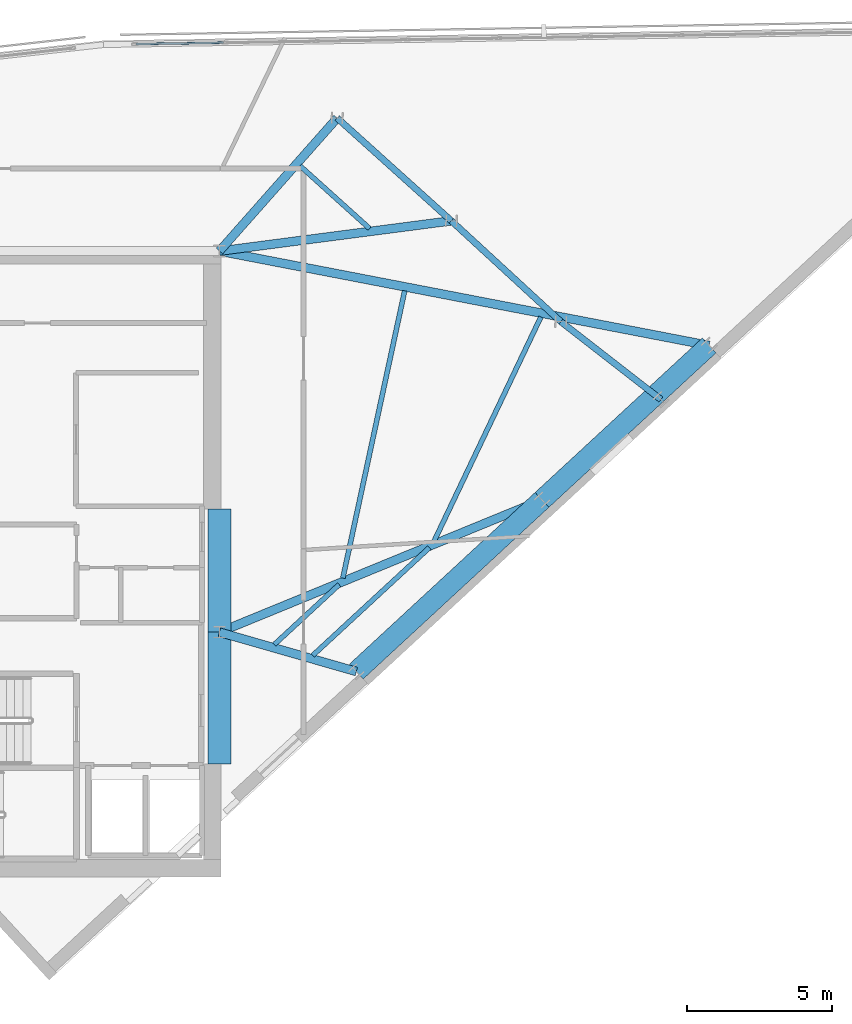
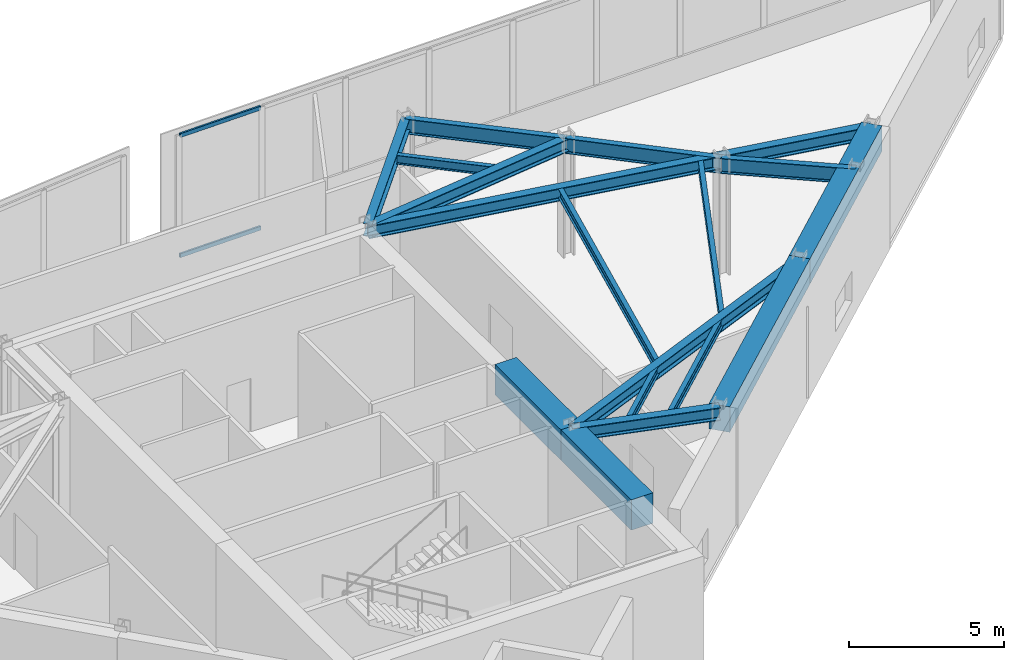
# One storey, part 5 of 12: 17 beams, 2 members, 1 element without a shape of its own.
"""IFC4 building model written with IfcOpenShell, lengths in metres."""

from ifc_helpers import new_model, si_unit, direction, frame, origin, origin_2d, place, context, subcontext, project, spatial, rectangle, hollow_rectangle, i_section, extrude, material, material_profile, profile_set, type_object, element, aggregate, save


model = new_model("IFC4")

# Units and contexts
model_context = context("Model", 3, precision=1e-05, world=origin(), true_north=direction((0.0, 1.0)))
body_context = subcontext(model_context, "Body", "Model", "MODEL_VIEW")
ifc_project = project(units=[si_unit("LENGTHUNIT", "METRE"), si_unit("AREAUNIT", "SQUARE_METRE"), si_unit("VOLUMEUNIT", "CUBIC_METRE"), si_unit("PLANEANGLEUNIT", "RADIAN"), si_unit("MASSUNIT", "GRAM", prefix="KILO")], contexts=[model_context])

# Site, building, storey
site_placement = place(None, origin())
site = spatial("IfcSite", under=ifc_project, at=site_placement, CompositionType="ELEMENT")
building_placement = place(site_placement, origin())
building = spatial("IfcBuilding", under=site, at=building_placement, Name="Narakoshi Arena Tower", CompositionType="ELEMENT")
storey_placement = place(building_placement, frame((0.0, 0.0, 302.97998046875)))
storey = spatial("IfcBuildingStorey", under=building, at=storey_placement, Name="L82", CompositionType="ELEMENT", Elevation=302.97998046875)

# Beams
ifc_material_1 = material(Name="Concrete C60/75", Category="concrete")
ifc_material_profile_1 = material_profile(ifc_material_1, rectangle(XDim=0.699951171875, YDim=1.0, at=origin_2d()), Name="RCB700x1000")
ifc_profile_set_1 = profile_set([ifc_material_profile_1], Name="Concrete C60/75")
beam_type_1 = type_object("IfcBeamType", Name="BM-CPL-1000", PredefinedType="BEAM", material=ifc_profile_set_1)
beam_1_placement = place(storey_placement, frame((90.2734375, 41.992919921875, 4.10009765625), z_axis=(0.734326819586, 0.678796082809, 0.0), x_axis=(-0.678796082809, 0.734326819586, 0.0)))
element("IfcBeam", 1, at=beam_1_placement, inside=storey, type_object=beam_type_1, Name="L82 Perimeter Edge Girder 01", PredefinedType="BEAM", context=body_context, shape_type="SweptSolid", body=[
    extrude(rectangle(XDim=0.699951171875, YDim=1.0, at=origin_2d()), origin(), (0.0, 0.0, 1.0), 8.72265625),
])
beam_2_placement = place(storey_placement, frame((96.6787109375, 47.913818359375, 4.10009765625), z_axis=(0.734333489286, 0.678788867405, 0.0), x_axis=(-0.678788867405, 0.734333489286, 0.0)))
element("IfcBeam", 2, at=beam_2_placement, inside=storey, type_object=beam_type_1, Name="L82 Perimeter Edge Girder 02", PredefinedType="BEAM", context=body_context, shape_type="SweptSolid", body=[
    extrude(rectangle(XDim=0.699951171875, YDim=1.0, at=origin_2d()), origin(), (0.0, 0.0, 1.0), 7.85009765625),
])
ifc_material_profile_2 = material_profile(ifc_material_1, rectangle(XDim=0.800048828125, YDim=1.199951171875, at=origin_2d()), Name="RCB800x1200")
ifc_profile_set_2 = profile_set([ifc_material_profile_2], Name="Concrete C60/75")
beam_type_2 = type_object("IfcBeamType", Name="BM-CPL-1200", PredefinedType="LINTEL", material=ifc_profile_set_2)
beam_3_placement = place(storey_placement, frame((85.550048828125, 38.800048828125, 4.0), z_axis=(0.0, 1.0, 0.0), x_axis=(-1.0, 0.0, 0.0)))
element("IfcBeam", 3, at=beam_3_placement, inside=storey, type_object=beam_type_2, Name="L82 Core Seismic Coupling Beam 1", PredefinedType="LINTEL", context=body_context, shape_type="SweptSolid", body=[
    extrude(rectangle(XDim=0.800048828125, YDim=1.199951171875, at=origin_2d()), origin(), (0.0, 0.0, 1.0), 4.550048828125),
])
beam_4_placement = place(storey_placement, frame((85.550048828125, 43.35009765625, 4.0), z_axis=(0.0, 1.0, 0.0), x_axis=(-1.0, 0.0, 0.0)))
element("IfcBeam", 4, at=beam_4_placement, inside=storey, type_object=beam_type_2, Name="L82 Core Seismic Coupling Beam 2", PredefinedType="LINTEL", context=body_context, shape_type="SweptSolid", body=[
    extrude(rectangle(XDim=0.800048828125, YDim=1.199951171875, at=origin_2d()), origin(), (0.0, 0.0, 1.0), 4.25),
])
ifc_material_2 = material(Name="Structural steel S355J2", Category="steel")
ifc_material_profile_3 = material_profile(ifc_material_2, i_section(OverallWidth=0.219970703125, OverallDepth=0.60009765625, WebThickness=0.011962890625, FlangeThickness=0.01904296875, FilletRadius=0.02392578125, at=origin_2d()), Name="IPE600")
ifc_profile_set_3 = profile_set([ifc_material_profile_3], Name="Structural steel S355J2")
beam_type_3 = type_object("IfcBeamType", Name="BM-EDGE-600", PredefinedType="BEAM", material=ifc_profile_set_3)
beam_5_placement = place(storey_placement, frame((100.78173828125, 51.379638671875, 4.300048828125), z_axis=(-0.789307135535, 0.613998571491, 0.0), x_axis=(-0.613998571491, -0.789307135535, 0.0)))
element("IfcBeam", 5, at=beam_5_placement, inside=storey, type_object=beam_type_3, Name="L82 Perimeter Edge Girder 04", PredefinedType="BEAM", context=body_context, shape_type="SweptSolid", body=[
    extrude(i_section(OverallWidth=0.219970703125, OverallDepth=0.60009765625, WebThickness=0.011962890625, FlangeThickness=0.01904296875, FilletRadius=0.02392578125, at=origin_2d()), origin(), (0.0, 0.0, 1.0), 4.374267578125),
])
beam_6_placement = place(storey_placement, frame((97.3291015625, 54.0654296875, 4.300048828125), z_axis=(-0.735759504933, 0.677242903914, 0.0), x_axis=(-0.677242903914, -0.735759504933, 0.0)))
element("IfcBeam", 6, at=beam_6_placement, inside=storey, type_object=beam_type_3, Name="L82 Perimeter Edge Girder 05", PredefinedType="BEAM", context=body_context, shape_type="SweptSolid", body=[
    extrude(i_section(OverallWidth=0.219970703125, OverallDepth=0.60009765625, WebThickness=0.011962890625, FlangeThickness=0.01904296875, FilletRadius=0.02392578125, at=origin_2d()), origin(), (0.0, 0.0, 1.0), 5.135986328125),
])
beam_7_placement = place(storey_placement, frame((93.55029296875, 57.543701171875, 4.300048828125), z_axis=(-0.743147547665, 0.66912758305, 0.0), x_axis=(-0.66912758305, -0.743147547665, 0.0)))
element("IfcBeam", 7, at=beam_7_placement, inside=storey, type_object=beam_type_3, Name="L82 Perimeter Edge Girder 06", PredefinedType="BEAM", context=body_context, shape_type="SweptSolid", body=[
    extrude(i_section(OverallWidth=0.219970703125, OverallDepth=0.60009765625, WebThickness=0.011962890625, FlangeThickness=0.01904296875, FilletRadius=0.02392578125, at=origin_2d()), origin(), (0.0, 0.0, 1.0), 5.30029296875),
])
ifc_material_profile_4 = material_profile(ifc_material_2, i_section(OverallWidth=0.300048828125, OverallDepth=0.5, WebThickness=0.014404296875, FlangeThickness=0.028076171875, FilletRadius=0.027099609375, at=origin_2d()), Name="HE500B")
ifc_profile_set_4 = profile_set([ifc_material_profile_4], Name="Structural steel S355J2")
beam_type_4 = type_object("IfcBeamType", Name="BM-PRI-500", PredefinedType="BEAM", material=ifc_profile_set_4)
beam_8_placement = place(storey_placement, frame((85.550048828125, 43.35009765625, 4.35009765625), z_axis=(0.961112330887, -0.276157721993, 0.0), x_axis=(0.276157721993, 0.961112330887, 0.0)))
element("IfcBeam", 8, at=beam_8_placement, inside=storey, type_object=beam_type_4, Name="L82 Radial Primary Floor Girder 01", PredefinedType="BEAM", context=body_context, shape_type="SweptSolid", body=[
    extrude(i_section(OverallWidth=0.300048828125, OverallDepth=0.5, WebThickness=0.014404296875, FlangeThickness=0.028076171875, FilletRadius=0.027099609375, at=origin_2d()), origin(), (0.0, 0.0, 1.0), 4.91455078125),
])
beam_9_placement = place(storey_placement, frame((85.550048828125, 43.35009765625, 4.35009765625), z_axis=(0.925223618811, 0.379422265021, 0.0), x_axis=(-0.379422265021, 0.925223618811, 0.0)))
element("IfcBeam", 9, at=beam_9_placement, inside=storey, type_object=beam_type_4, Name="L82 Radial Primary Floor Girder 02", PredefinedType="BEAM", context=body_context, shape_type="SweptSolid", body=[
    extrude(i_section(OverallWidth=0.300048828125, OverallDepth=0.5, WebThickness=0.014404296875, FlangeThickness=0.028076171875, FilletRadius=0.027099609375, at=origin_2d()), origin(), (0.0, 0.0, 1.0), 12.028076171875),
])
beam_10_placement = place(storey_placement, frame((85.550048828125, 56.5, 4.35009765625), z_axis=(0.98191087483, -0.189343692505, 0.0), x_axis=(0.189343692505, 0.98191087483, 0.0)))
element("IfcBeam", 10, at=beam_10_placement, inside=storey, type_object=beam_type_4, Name="L82 Radial Primary Floor Girder 03", PredefinedType="BEAM", context=body_context, shape_type="SweptSolid", body=[
    extrude(i_section(OverallWidth=0.300048828125, OverallDepth=0.5, WebThickness=0.014404296875, FlangeThickness=0.028076171875, FilletRadius=0.027099609375, at=origin_2d()), origin(), (0.0, 0.0, 1.0), 17.20458984375),
])
beam_11_placement = place(storey_placement, frame((85.550048828125, 56.5, 4.35009765625), z_axis=(0.991597373641, 0.129362469783, 0.0), x_axis=(-0.129362469783, 0.991597373641, 0.0)))
element("IfcBeam", 11, at=beam_11_placement, inside=storey, type_object=beam_type_4, Name="L82 Radial Primary Floor Girder 06", PredefinedType="BEAM", context=body_context, shape_type="SweptSolid", body=[
    extrude(i_section(OverallWidth=0.300048828125, OverallDepth=0.5, WebThickness=0.014404296875, FlangeThickness=0.028076171875, FilletRadius=0.027099609375, at=origin_2d()), origin(), (0.0, 0.0, 1.0), 8.068115234375),
])
beam_12_placement = place(storey_placement, frame((85.550048828125, 56.5, 4.35009765625), z_axis=(0.662628886894, 0.748947900894, 0.0), x_axis=(-0.748947900894, 0.662628886894, 0.0)))
element("IfcBeam", 12, at=beam_12_placement, inside=storey, type_object=beam_type_4, Name="L82 Radial Primary Floor Girder 07", PredefinedType="BEAM", context=body_context, shape_type="SweptSolid", body=[
    extrude(i_section(OverallWidth=0.300048828125, OverallDepth=0.5, WebThickness=0.014404296875, FlangeThickness=0.028076171875, FilletRadius=0.027099609375, at=origin_2d()), origin(), (0.0, 0.0, 1.0), 6.129150390625),
])
ifc_material_profile_5 = material_profile(ifc_material_2, i_section(OverallWidth=0.169921875, OverallDepth=0.360107421875, WebThickness=0.008056640625, FlangeThickness=0.0126953125, FilletRadius=0.01806640625, at=origin_2d()), Name="IPE360")
ifc_profile_set_5 = profile_set([ifc_material_profile_5], Name="Structural steel S355J2")
beam_type_5 = type_object("IfcBeamType", Name="BM-SEC-360", PredefinedType="JOIST", material=ifc_profile_set_5)
beam_13_placement = place(storey_placement, frame((87.444091796875, 42.92578125, 4.419921875), z_axis=(0.734268297495, 0.678859386982, 0.0), x_axis=(-0.678859386982, 0.734268297495, 0.0)))
element("IfcBeam", 13, at=beam_13_placement, inside=storey, type_object=beam_type_5, Name="L82 Composite Secondary Floor Joist 01", PredefinedType="JOIST", context=body_context, shape_type="SweptSolid", body=[
    extrude(i_section(OverallWidth=0.169921875, OverallDepth=0.360107421875, WebThickness=0.008056640625, FlangeThickness=0.0126953125, FilletRadius=0.01806640625, at=origin_2d()), origin(), (0.0, 0.0, 1.0), 3.044677734375),
])
beam_14_placement = place(storey_placement, frame((88.7666015625, 42.5458984375, 4.419921875), z_axis=(0.734325629348, 0.678797370415, 0.0), x_axis=(-0.678797370415, 0.734325629348, 0.0)))
element("IfcBeam", 14, at=beam_14_placement, inside=storey, type_object=beam_type_5, Name="L82 Composite Secondary Floor Joist 02", PredefinedType="JOIST", context=body_context, shape_type="SweptSolid", body=[
    extrude(i_section(OverallWidth=0.169921875, OverallDepth=0.360107421875, WebThickness=0.008056640625, FlangeThickness=0.0126953125, FilletRadius=0.01806640625, at=origin_2d()), origin(), (0.0, 0.0, 1.0), 5.487060546875),
])
beam_15_placement = place(storey_placement, frame((89.807373046875, 45.21630859375, 4.419921875), z_axis=(0.210415196276, 0.977612113865, 0.0), x_axis=(-0.977612113865, 0.210415196276, 0.0)))
element("IfcBeam", 15, at=beam_15_placement, inside=storey, type_object=beam_type_5, Name="L82 Composite Secondary Floor Joist 03", PredefinedType="JOIST", context=body_context, shape_type="SweptSolid", body=[
    extrude(i_section(OverallWidth=0.169921875, OverallDepth=0.360107421875, WebThickness=0.008056640625, FlangeThickness=0.0126953125, FilletRadius=0.01806640625, at=origin_2d()), origin(), (0.0, 0.0, 1.0), 10.140869140625),
])
beam_16_placement = place(storey_placement, frame((92.952880859375, 46.48388671875, 4.419921875), z_axis=(0.430020856008, 0.902818953832, 0.0), x_axis=(-0.902818953832, 0.430020856008, 0.0)))
element("IfcBeam", 16, at=beam_16_placement, inside=storey, type_object=beam_type_5, Name="L82 Composite Secondary Floor Joist 04", PredefinedType="JOIST", context=body_context, shape_type="SweptSolid", body=[
    extrude(i_section(OverallWidth=0.169921875, OverallDepth=0.360107421875, WebThickness=0.008056640625, FlangeThickness=0.0126953125, FilletRadius=0.01806640625, at=origin_2d()), origin(), (0.0, 0.0, 1.0), 8.578125),
])
beam_17_placement = place(storey_placement, frame((90.72998046875, 57.279052734375, 4.419921875), z_axis=(-0.743154999107, 0.669119307225, 0.0), x_axis=(-0.669119307225, -0.743154999107, 0.0)))
element("IfcBeam", 17, at=beam_17_placement, inside=storey, type_object=beam_type_5, Name="L82 Composite Secondary Floor Joist 05", PredefinedType="JOIST", context=body_context, shape_type="SweptSolid", body=[
    extrude(i_section(OverallWidth=0.169921875, OverallDepth=0.360107421875, WebThickness=0.008056640625, FlangeThickness=0.0126953125, FilletRadius=0.01806640625, at=origin_2d()), origin(), (0.0, 0.0, 1.0), 3.228271484375),
])

# Curtain wall, members
ifc_material_3 = material(Name="Anodised bronze aluminium 6063-T6", Category="aluminium")
curtain_wall_type = type_object("IfcCurtainWallType", Name="CW-CRN-FACET", PredefinedType="NOTDEFINED", material=ifc_material_3)
curtain_wall_placement = place(storey_placement, origin())
curtain_wall = element("IfcCurtainWall", 18, at=curtain_wall_placement, inside=storey, type_object=curtain_wall_type, Name="L82 Slanted-Cut Crown Curtain Wall 6-1", PredefinedType="NOTDEFINED")
ifc_material_profile_6 = material_profile(ifc_material_3, hollow_rectangle(XDim=0.070068359375, YDim=0.159912109375, WallThickness=0.00390625, OuterFilletRadius=0.0048828125, at=origin_2d()), Name="TRN160x70x4")
ifc_profile_set_6 = profile_set([ifc_material_profile_6], Name="Anodised bronze aluminium 6063-T6")
member_type = type_object("IfcMemberType", Name="MEM-TRN-160", PredefinedType="USERDEFINED", material=ifc_profile_set_6)
member_1_placement = place(storey_placement, frame((82.6708984375, 63.641357421875, 0.034912109375), z_axis=(0.999864634202, 0.016453366571, 0.0), x_axis=(-0.016453366571, 0.999864634202, 0.0)))
member_1 = element("IfcMember", 19, at=member_1_placement, type_object=member_type, Name="CW-06 transom 1.1", ObjectType="TRANSOM", PredefinedType="USERDEFINED", context=body_context, shape_type="SweptSolid", body=[
    extrude(hollow_rectangle(XDim=0.070068359375, YDim=0.159912109375, WallThickness=0.00390625, OuterFilletRadius=0.0048828125, at=origin_2d()), origin(), (0.0, 0.0, 1.0), 3.027099609375),
])
member_2_placement = place(storey_placement, frame((82.6708984375, 63.641357421875, 4.76513671875), z_axis=(0.999864634202, 0.016453366571, 0.0), x_axis=(-0.016453366571, 0.999864634202, 0.0)))
member_2 = element("IfcMember", 20, at=member_2_placement, type_object=member_type, Name="CW-06 transom 1.2", ObjectType="TRANSOM", PredefinedType="USERDEFINED", context=body_context, shape_type="SweptSolid", body=[
    extrude(hollow_rectangle(XDim=0.070068359375, YDim=0.159912109375, WallThickness=0.00390625, OuterFilletRadius=0.0048828125, at=origin_2d()), origin(), (0.0, 0.0, 1.0), 3.027099609375),
])
aggregate(curtain_wall, [member_1, member_2])

save(model, "model.ifc")
